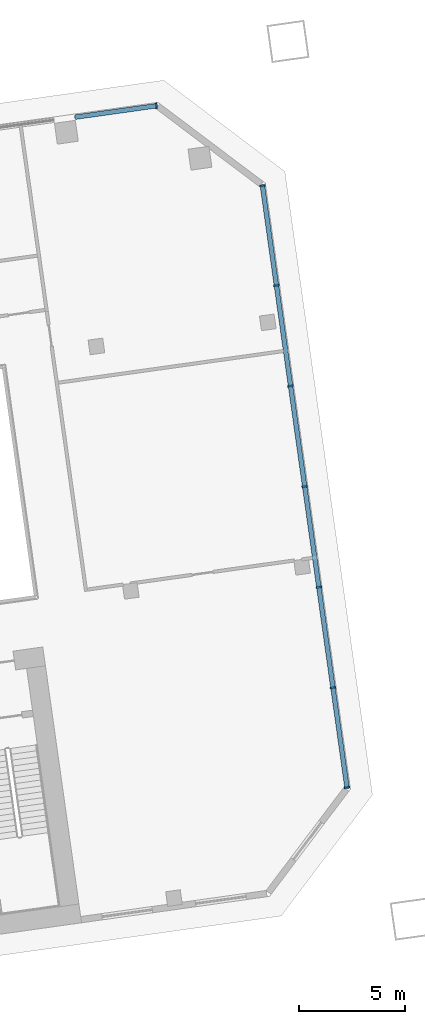
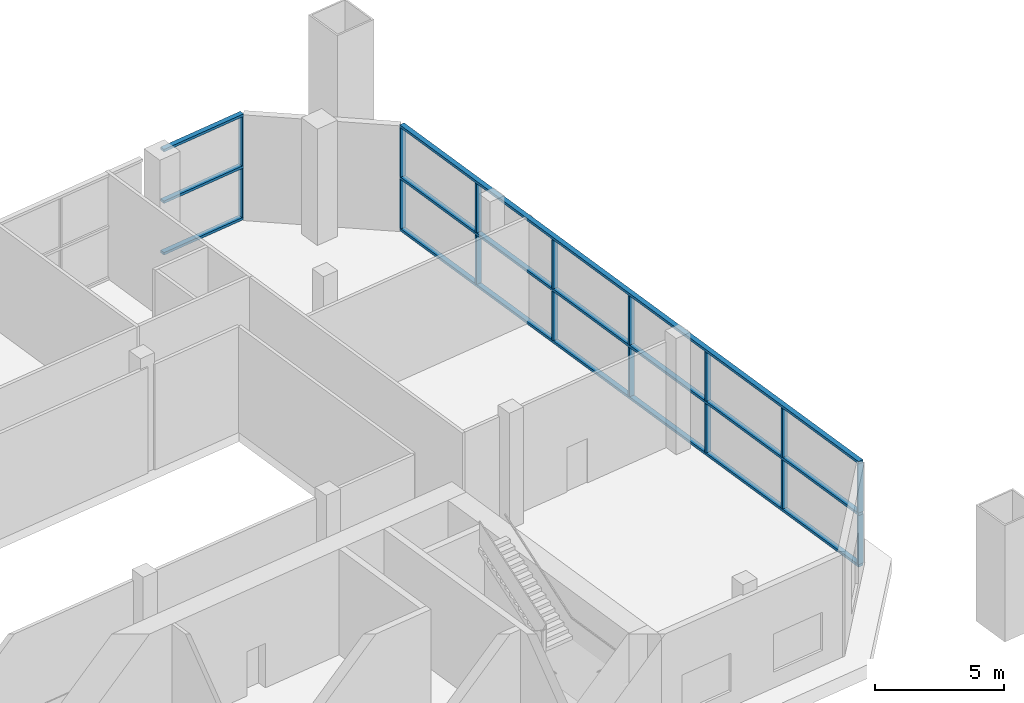
# One storey, part 7 of 23: 22 members, 2 elements without a shape of their own.
"""IFC4 building model written with IfcOpenShell, lengths in metres."""

from ifc_helpers import new_model, si_unit, direction, frame, origin, origin_2d, place, context, subcontext, project, spatial, rectangle, extrude, material, material_profile, profile_set, type_object, element, aggregate, save


model = new_model("IFC4")

# Units and contexts
model_context = context("Model", 3, precision=1e-05, world=origin(), true_north=direction((0.0, 1.0)))
body_context = subcontext(model_context, "Body", "Model", "MODEL_VIEW")
ifc_project = project(units=[si_unit("LENGTHUNIT", "METRE"), si_unit("AREAUNIT", "SQUARE_METRE"), si_unit("VOLUMEUNIT", "CUBIC_METRE"), si_unit("PLANEANGLEUNIT", "RADIAN"), si_unit("MASSUNIT", "GRAM", prefix="KILO")], contexts=[model_context])

# Site, building, storey
site_placement = place(None, origin())
site = spatial("IfcSite", under=ifc_project, at=site_placement, CompositionType="ELEMENT")
building_placement = place(site_placement, origin())
building = spatial("IfcBuilding", under=site, at=building_placement, Name="Mirante Cascada Hotel Towers", CompositionType="ELEMENT")
storey_placement = place(building_placement, frame((0.0, 0.0, 23.5)))
storey = spatial("IfcBuildingStorey", under=building, at=storey_placement, Name="L03", CompositionType="ELEMENT", Elevation=23.5)

# Curtain wall, members
ifc_material_1 = material(Name="Aluminium mullion and transom frame with clear laminated glass", Category="aluminium")
curtain_wall_type = type_object("IfcCurtainWallType", Name="Podium curtain wall ECW3", PredefinedType="NOTDEFINED", material=ifc_material_1)
curtain_wall_1_placement = place(storey_placement, origin())
curtain_wall_1 = element("IfcCurtainWall", 1, at=curtain_wall_1_placement, inside=storey, type_object=curtain_wall_type, Name="Front podium glazing T2 L03", PredefinedType="NOTDEFINED")
ifc_material_2 = material(Name="Anodised aluminium extrusion", Category="aluminium")
ifc_material_profile_1 = material_profile(ifc_material_2, rectangle(XDim=0.26, YDim=0.08, at=origin_2d()), Name="ECW3 MULLION 80x260")
ifc_profile_set_1 = profile_set([ifc_material_profile_1], Name="Anodised aluminium extrusion")
member_type_1 = type_object("IfcMemberType", Name="ECW3 mullion 80x260", PredefinedType="MULLION", material=ifc_profile_set_1)
member_1_placement = place(storey_placement, frame((94.1185, 26.0465, 0.12), z_axis=(0.0, 0.0, 1.0), x_axis=(0.1391731, -0.9902681, 0.0)))
member_1 = element("IfcMember", 2, at=member_1_placement, type_object=member_type_1, Name="ECW3 mullion 1", PredefinedType="MULLION", context=body_context, shape_type="SweptSolid", body=[
    extrude(rectangle(XDim=0.26, YDim=0.08, at=origin_2d()), origin(), (0.0, 0.0, 1.0), 2.32),
])
member_2_placement = place(storey_placement, frame((94.1185, 26.0465, 2.56), z_axis=(0.0, 0.0, 1.0), x_axis=(0.1391731, -0.9902681, 0.0)))
member_2 = element("IfcMember", 3, at=member_2_placement, type_object=member_type_1, Name="ECW3 mullion 1", PredefinedType="MULLION", context=body_context, shape_type="SweptSolid", body=[
    extrude(rectangle(XDim=0.26, YDim=0.08, at=origin_2d()), origin(), (0.0, 0.0, 1.0), 2.32),
])

curtain_wall_2_placement = place(storey_placement, origin())
curtain_wall_2 = element("IfcCurtainWall", 4, at=curtain_wall_2_placement, inside=storey, type_object=curtain_wall_type, Name="Outer end podium glazing T2 L03", PredefinedType="NOTDEFINED")
member_3_placement = place(storey_placement, frame((103.1546, -6.2582, 0.12), z_axis=(0.0, 0.0, 1.0), x_axis=(-0.9902681, -0.1391731, 0.0)))
member_3 = element("IfcMember", 5, at=member_3_placement, type_object=member_type_1, Name="ECW3 mullion 1", PredefinedType="MULLION", context=body_context, shape_type="SweptSolid", body=[
    extrude(rectangle(XDim=0.26, YDim=0.08, at=origin_2d()), origin(), (0.0, 0.0, 1.0), 2.32),
])
member_4_placement = place(storey_placement, frame((103.1546, -6.2582, 2.56), z_axis=(0.0, 0.0, 1.0), x_axis=(-0.9902681, -0.1391731, 0.0)))
member_4 = element("IfcMember", 6, at=member_4_placement, type_object=member_type_1, Name="ECW3 mullion 1", PredefinedType="MULLION", context=body_context, shape_type="SweptSolid", body=[
    extrude(rectangle(XDim=0.26, YDim=0.08, at=origin_2d()), origin(), (0.0, 0.0, 1.0), 2.32),
])
member_5_placement = place(storey_placement, frame((102.4903, -1.532, 0.12), z_axis=(0.0, 0.0, 1.0), x_axis=(-0.9902681, -0.1391731, 0.0)))
member_5 = element("IfcMember", 7, at=member_5_placement, type_object=member_type_1, Name="ECW3 mullion 2", PredefinedType="MULLION", context=body_context, shape_type="SweptSolid", body=[
    extrude(rectangle(XDim=0.26, YDim=0.08, at=origin_2d()), origin(), (0.0, 0.0, 1.0), 2.32),
])
member_6_placement = place(storey_placement, frame((102.4903, -1.532, 2.56), z_axis=(0.0, 0.0, 1.0), x_axis=(-0.9902681, -0.1391731, 0.0)))
member_6 = element("IfcMember", 8, at=member_6_placement, type_object=member_type_1, Name="ECW3 mullion 2", PredefinedType="MULLION", context=body_context, shape_type="SweptSolid", body=[
    extrude(rectangle(XDim=0.26, YDim=0.08, at=origin_2d()), origin(), (0.0, 0.0, 1.0), 2.32),
])
member_7_placement = place(storey_placement, frame((101.8205, 3.2338, 0.12), z_axis=(0.0, 0.0, 1.0), x_axis=(-0.9902681, -0.1391731, 0.0)))
member_7 = element("IfcMember", 9, at=member_7_placement, type_object=member_type_1, Name="ECW3 mullion 3", PredefinedType="MULLION", context=body_context, shape_type="SweptSolid", body=[
    extrude(rectangle(XDim=0.26, YDim=0.08, at=origin_2d()), origin(), (0.0, 0.0, 1.0), 2.32),
])
member_8_placement = place(storey_placement, frame((101.8205, 3.2338, 2.56), z_axis=(0.0, 0.0, 1.0), x_axis=(-0.9902681, -0.1391731, 0.0)))
member_8 = element("IfcMember", 10, at=member_8_placement, type_object=member_type_1, Name="ECW3 mullion 3", PredefinedType="MULLION", context=body_context, shape_type="SweptSolid", body=[
    extrude(rectangle(XDim=0.26, YDim=0.08, at=origin_2d()), origin(), (0.0, 0.0, 1.0), 2.32),
])
member_9_placement = place(storey_placement, frame((101.1508, 7.9996, 0.12), z_axis=(0.0, 0.0, 1.0), x_axis=(-0.9902681, -0.1391731, 0.0)))
member_9 = element("IfcMember", 11, at=member_9_placement, type_object=member_type_1, Name="ECW3 mullion 4", PredefinedType="MULLION", context=body_context, shape_type="SweptSolid", body=[
    extrude(rectangle(XDim=0.26, YDim=0.08, at=origin_2d()), origin(), (0.0, 0.0, 1.0), 2.32),
])
member_10_placement = place(storey_placement, frame((101.1508, 7.9996, 2.56), z_axis=(0.0, 0.0, 1.0), x_axis=(-0.9902681, -0.1391731, 0.0)))
member_10 = element("IfcMember", 12, at=member_10_placement, type_object=member_type_1, Name="ECW3 mullion 4", PredefinedType="MULLION", context=body_context, shape_type="SweptSolid", body=[
    extrude(rectangle(XDim=0.26, YDim=0.08, at=origin_2d()), origin(), (0.0, 0.0, 1.0), 2.32),
])
member_11_placement = place(storey_placement, frame((100.481, 12.7654, 0.12), z_axis=(0.0, 0.0, 1.0), x_axis=(-0.9902681, -0.1391731, 0.0)))
member_11 = element("IfcMember", 13, at=member_11_placement, type_object=member_type_1, Name="ECW3 mullion 5", PredefinedType="MULLION", context=body_context, shape_type="SweptSolid", body=[
    extrude(rectangle(XDim=0.26, YDim=0.08, at=origin_2d()), origin(), (0.0, 0.0, 1.0), 2.32),
])
member_12_placement = place(storey_placement, frame((100.481, 12.7654, 2.56), z_axis=(0.0, 0.0, 1.0), x_axis=(-0.9902681, -0.1391731, 0.0)))
member_12 = element("IfcMember", 14, at=member_12_placement, type_object=member_type_1, Name="ECW3 mullion 5", PredefinedType="MULLION", context=body_context, shape_type="SweptSolid", body=[
    extrude(rectangle(XDim=0.26, YDim=0.08, at=origin_2d()), origin(), (0.0, 0.0, 1.0), 2.32),
])
member_13_placement = place(storey_placement, frame((99.8112, 17.5312, 0.12), z_axis=(0.0, 0.0, 1.0), x_axis=(-0.9902681, -0.1391731, 0.0)))
member_13 = element("IfcMember", 15, at=member_13_placement, type_object=member_type_1, Name="ECW3 mullion 6", PredefinedType="MULLION", context=body_context, shape_type="SweptSolid", body=[
    extrude(rectangle(XDim=0.26, YDim=0.08, at=origin_2d()), origin(), (0.0, 0.0, 1.0), 2.32),
])
member_14_placement = place(storey_placement, frame((99.8112, 17.5312, 2.56), z_axis=(0.0, 0.0, 1.0), x_axis=(-0.9902681, -0.1391731, 0.0)))
member_14 = element("IfcMember", 16, at=member_14_placement, type_object=member_type_1, Name="ECW3 mullion 6", PredefinedType="MULLION", context=body_context, shape_type="SweptSolid", body=[
    extrude(rectangle(XDim=0.26, YDim=0.08, at=origin_2d()), origin(), (0.0, 0.0, 1.0), 2.32),
])
member_15_placement = place(storey_placement, frame((99.147, 22.2573, 0.12), z_axis=(0.0, 0.0, 1.0), x_axis=(-0.9902681, -0.1391731, 0.0)))
member_15 = element("IfcMember", 17, at=member_15_placement, type_object=member_type_1, Name="ECW3 mullion 7", PredefinedType="MULLION", context=body_context, shape_type="SweptSolid", body=[
    extrude(rectangle(XDim=0.26, YDim=0.08, at=origin_2d()), origin(), (0.0, 0.0, 1.0), 2.32),
])
member_16_placement = place(storey_placement, frame((99.147, 22.2573, 2.56), z_axis=(0.0, 0.0, 1.0), x_axis=(-0.9902681, -0.1391731, 0.0)))
member_16 = element("IfcMember", 18, at=member_16_placement, type_object=member_type_1, Name="ECW3 mullion 7", PredefinedType="MULLION", context=body_context, shape_type="SweptSolid", body=[
    extrude(rectangle(XDim=0.26, YDim=0.08, at=origin_2d()), origin(), (0.0, 0.0, 1.0), 2.32),
])

# Member
ifc_material_3 = material(Name="Anodised aluminium extrusion", Category="aluminium")
ifc_material_profile_2 = material_profile(ifc_material_3, rectangle(XDim=0.22, YDim=0.12, at=origin_2d()), Name="ECW3 TRANSOM 120x220")
ifc_profile_set_2 = profile_set([ifc_material_profile_2], Name="Anodised aluminium extrusion")
member_type_2 = type_object("IfcMemberType", Name="ECW3 transom 120x220", PredefinedType="USERDEFINED", material=ifc_profile_set_2)
member_17_placement = place(storey_placement, frame((94.1582, 26.0521, 0.06), z_axis=(-0.990267, -0.1391805, 0.0), x_axis=(0.1391805, -0.990267, 0.0)))
member_17 = element("IfcMember", 19, at=member_17_placement, type_object=member_type_2, Name="ECW3 sill transom", ObjectType="TRANSOM", PredefinedType="USERDEFINED", context=body_context, shape_type="SweptSolid", body=[
    extrude(rectangle(XDim=0.22, YDim=0.12, at=origin_2d()), origin(), (0.0, 0.0, 1.0), 3.9179),
])

member_18_placement = place(storey_placement, frame((94.1582, 26.0521, 2.5), z_axis=(-0.990267, -0.1391805, 0.0), x_axis=(0.1391805, -0.990267, 0.0)))
member_18 = element("IfcMember", 20, at=member_18_placement, type_object=member_type_2, Name="ECW3 intermediate transom", ObjectType="TRANSOM", PredefinedType="USERDEFINED", context=body_context, shape_type="SweptSolid", body=[
    extrude(rectangle(XDim=0.22, YDim=0.12, at=origin_2d()), origin(), (0.0, 0.0, 1.0), 3.9179),
])

member_19_placement = place(storey_placement, frame((94.1582, 26.0521, 4.94), z_axis=(-0.990267, -0.1391805, 0.0), x_axis=(0.1391805, -0.990267, 0.0)))
member_19 = element("IfcMember", 21, at=member_19_placement, type_object=member_type_2, Name="ECW3 head transom", ObjectType="TRANSOM", PredefinedType="USERDEFINED", context=body_context, shape_type="SweptSolid", body=[
    extrude(rectangle(XDim=0.22, YDim=0.12, at=origin_2d()), origin(), (0.0, 0.0, 1.0), 3.9179),
])

aggregate(curtain_wall_1, [member_17, member_18, member_19, member_1, member_2])

member_20_placement = place(storey_placement, frame((103.1601, -6.2978, 0.06), z_axis=(-0.1391723, 0.9902682, 0.0), x_axis=(-0.9902682, -0.1391723, 0.0)))
member_20 = element("IfcMember", 22, at=member_20_placement, type_object=member_type_2, Name="ECW3 sill transom", ObjectType="TRANSOM", PredefinedType="USERDEFINED", context=body_context, shape_type="SweptSolid", body=[
    extrude(rectangle(XDim=0.22, YDim=0.12, at=origin_2d()), origin(), (0.0, 0.0, 1.0), 28.8757),
])

member_21_placement = place(storey_placement, frame((103.1601, -6.2978, 2.5), z_axis=(-0.1391723, 0.9902682, 0.0), x_axis=(-0.9902682, -0.1391723, 0.0)))
member_21 = element("IfcMember", 23, at=member_21_placement, type_object=member_type_2, Name="ECW3 intermediate transom", ObjectType="TRANSOM", PredefinedType="USERDEFINED", context=body_context, shape_type="SweptSolid", body=[
    extrude(rectangle(XDim=0.22, YDim=0.12, at=origin_2d()), origin(), (0.0, 0.0, 1.0), 28.8757),
])

member_22_placement = place(storey_placement, frame((103.1601, -6.2978, 4.94), z_axis=(-0.1391723, 0.9902682, 0.0), x_axis=(-0.9902682, -0.1391723, 0.0)))
member_22 = element("IfcMember", 24, at=member_22_placement, type_object=member_type_2, Name="ECW3 head transom", ObjectType="TRANSOM", PredefinedType="USERDEFINED", context=body_context, shape_type="SweptSolid", body=[
    extrude(rectangle(XDim=0.22, YDim=0.12, at=origin_2d()), origin(), (0.0, 0.0, 1.0), 28.8757),
])

aggregate(curtain_wall_2, [member_20, member_21, member_22, member_3, member_4, member_5, member_6, member_7, member_8, member_9, member_10, member_11, member_12, member_13, member_14, member_15, member_16])

save(model, "model.ifc")
